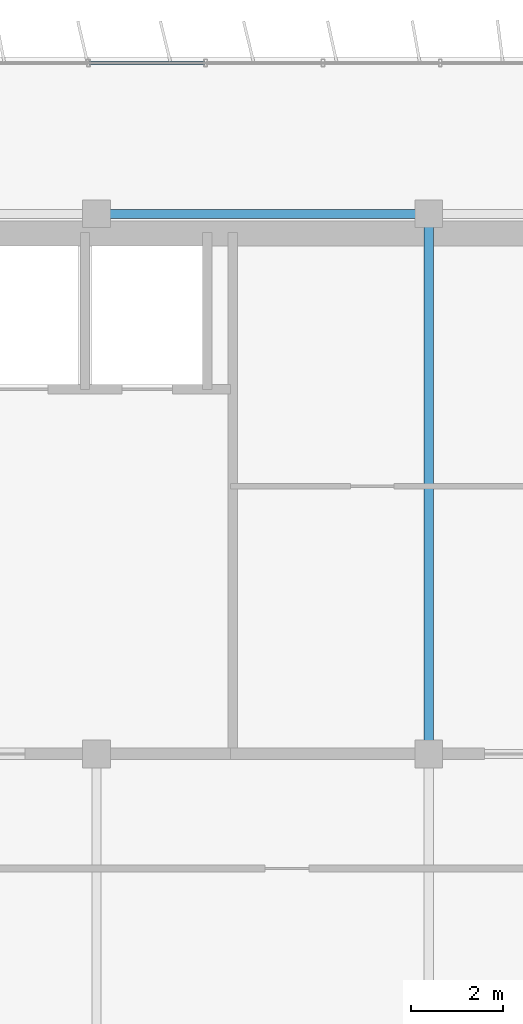
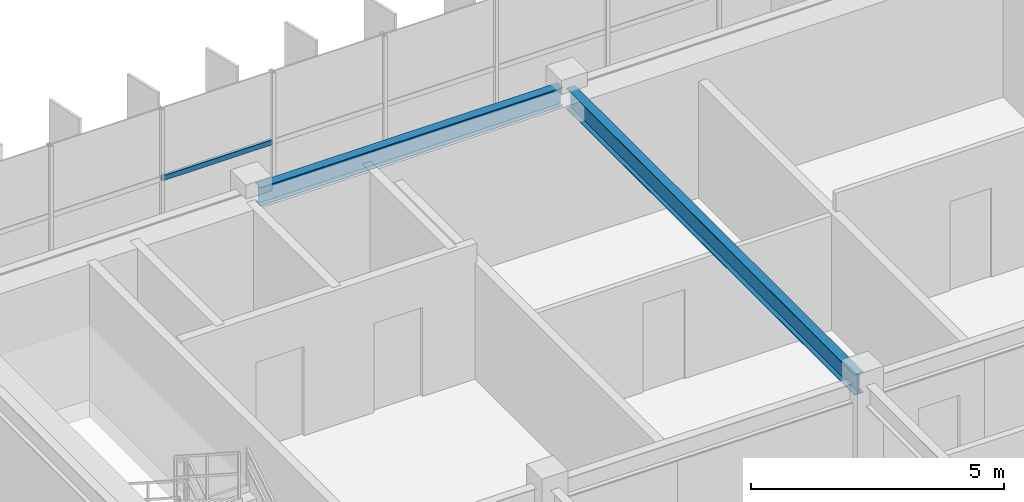
# One storey, part 11 of 28: 2 beams, 1 member, 1 element without a shape of its own.
"""IFC4 building model written with IfcOpenShell, lengths in metres."""

from ifc_helpers import new_model, si_unit, direction, frame, origin, origin_2d, place, context, subcontext, project, spatial, hollow_rectangle, i_section, extrude, source, transform, mapped, material, material_profile, profile_set, type_object, element, aggregate, save


model = new_model("IFC4")

# Units and contexts
model_context = context("Model", 3, precision=1e-05, world=origin(), true_north=direction((0.0, 1.0)))
body_context = subcontext(model_context, "Body", "Model", "MODEL_VIEW")
ifc_project = project(units=[si_unit("LENGTHUNIT", "METRE"), si_unit("AREAUNIT", "SQUARE_METRE"), si_unit("VOLUMEUNIT", "CUBIC_METRE"), si_unit("PLANEANGLEUNIT", "RADIAN"), si_unit("MASSUNIT", "GRAM", prefix="KILO")], contexts=[model_context])

# Site, building, storey
site_placement = place(None, origin())
site = spatial("IfcSite", under=ifc_project, at=site_placement, CompositionType="ELEMENT")
building_placement = place(site_placement, origin())
building = spatial("IfcBuilding", under=site, at=building_placement, Name="Trelvane Seafront Commons", CompositionType="ELEMENT")
storey_placement = place(building_placement, frame((0.0, 0.0, 295.5)))
storey = spatial("IfcBuildingStorey", under=building, at=storey_placement, Name="L77", CompositionType="ELEMENT", Elevation=295.5)

# Beams
ifc_material_1 = material(Name="Steel SM355 (S355)", Category="steel")
ifc_material_profile_1 = material_profile(ifc_material_1, i_section(OverallWidth=0.199951171875, OverallDepth=0.5, WebThickness=0.010009765625, FlangeThickness=0.01611328125, at=origin_2d()), Name="H-500x200x10x16")
ifc_profile_set_1 = profile_set([ifc_material_profile_1], Name="Steel SM355 (S355)")
beam_type_1 = type_object("IfcBeamType", Name="STR-BM-H500", PredefinedType="BEAM", material=ifc_profile_set_1)
shared_shape_1 = source(origin(), body_context, "Body", "SweptSolid", [
    extrude(i_section(OverallWidth=0.199951171875, OverallDepth=0.5, WebThickness=0.010009765625, FlangeThickness=0.01611328125, at=origin_2d()), origin(), (0.0, 0.0, 1.0), 11.39990234375),
])
beam_1_placement = place(storey_placement, frame((30.60009765625, 33.550048828125, 3.010009765625), z_axis=(0.0, 1.0, 0.0), x_axis=(-1.0, 0.0, 0.0)))
element("IfcBeam", 1, at=beam_1_placement, inside=storey, type_object=beam_type_1, Name="L77 Primary Girder G-40", PredefinedType="BEAM", context=body_context, shape_type="MappedRepresentation", body=[
    mapped(shared_shape_1, transform((0.0, 0.0, 0.0), x_axis=(1.0, 0.0, 0.0), y_axis=(0.0, 1.0, 0.0), z_axis=(0.0, 0.0, 1.0), scale=1.0)),
])
ifc_material_profile_2 = material_profile(ifc_material_1, i_section(OverallWidth=0.199951171875, OverallDepth=0.449951171875, WebThickness=0.009033203125, FlangeThickness=0.013916015625, at=origin_2d()), Name="H-450x200x9x14")
ifc_profile_set_2 = profile_set([ifc_material_profile_2], Name="Steel SM355 (S355)")
beam_type_2 = type_object("IfcBeamType", Name="STR-SPD-H450", PredefinedType="SPANDREL", material=ifc_profile_set_2)
shared_shape_2 = source(origin(), body_context, "Body", "SweptSolid", [
    extrude(i_section(OverallWidth=0.199951171875, OverallDepth=0.449951171875, WebThickness=0.009033203125, FlangeThickness=0.013916015625, at=origin_2d()), origin(), (0.0, 0.0, 1.0), 6.89990234375),
])
beam_2_placement = place(storey_placement, frame((23.550048828125, 45.10009765625, 3.034912109375), z_axis=(1.0, 0.0, 0.0), x_axis=(0.0, 1.0, 0.0)))
element("IfcBeam", 2, at=beam_2_placement, inside=storey, type_object=beam_type_2, Name="L77 Primary Girder G-24", PredefinedType="SPANDREL", context=body_context, shape_type="MappedRepresentation", body=[
    mapped(shared_shape_2, transform((0.0, 0.0, 0.0), x_axis=(1.0, 0.0, 0.0), y_axis=(0.0, 1.0, 0.0), z_axis=(0.0, 0.0, 1.0), scale=1.0)),
])

# Curtain wall, member
ifc_material_2 = material(Name="Anodised pale-silver aluminium", Category="aluminium")
curtain_wall_type = type_object("IfcCurtainWallType", Name="ARCH-CW5-UPTOWER", PredefinedType="NOTDEFINED", material=ifc_material_2)
curtain_wall_placement = place(storey_placement, origin())
curtain_wall = element("IfcCurtainWall", 3, at=curtain_wall_placement, inside=storey, type_object=curtain_wall_type, Name="CW-L77-0122", PredefinedType="NOTDEFINED")
ifc_material_profile_3 = material_profile(ifc_material_2, hollow_rectangle(XDim=0.070068359375, YDim=0.1201171875, WallThickness=0.00390625, at=origin_2d()), Name="TRAN-70x120x4")
ifc_profile_set_3 = profile_set([ifc_material_profile_3], Name="Anodised pale-silver aluminium")
member_type = type_object("IfcMemberType", Name="ARCH-CW-TRAN-120", PredefinedType="USERDEFINED", material=ifc_profile_set_3)
shared_shape_3 = source(origin(), body_context, "Body", "SweptSolid", [
    extrude(hollow_rectangle(XDim=0.070068359375, YDim=0.1201171875, WallThickness=0.00390625, at=origin_2d()), origin(), (0.0, 0.0, 1.0), 2.51708984375),
])
member_placement = place(storey_placement, frame((23.235595703125, 48.3701171875, 1.56494140625), z_axis=(1.0, 0.0, 0.0), x_axis=(0.0, 1.0, 0.0)))
member = element("IfcMember", 4, at=member_placement, type_object=member_type, Name="CW-L77-0122-T03", ObjectType="TRANSOM", PredefinedType="USERDEFINED", context=body_context, shape_type="MappedRepresentation", body=[
    mapped(shared_shape_3, transform((0.0, 0.0, 0.0), x_axis=(1.0, 0.0, 0.0), y_axis=(0.0, 1.0, 0.0), z_axis=(0.0, 0.0, 1.0), scale=1.0)),
])
aggregate(curtain_wall, [member])

save(model, "model.ifc")
